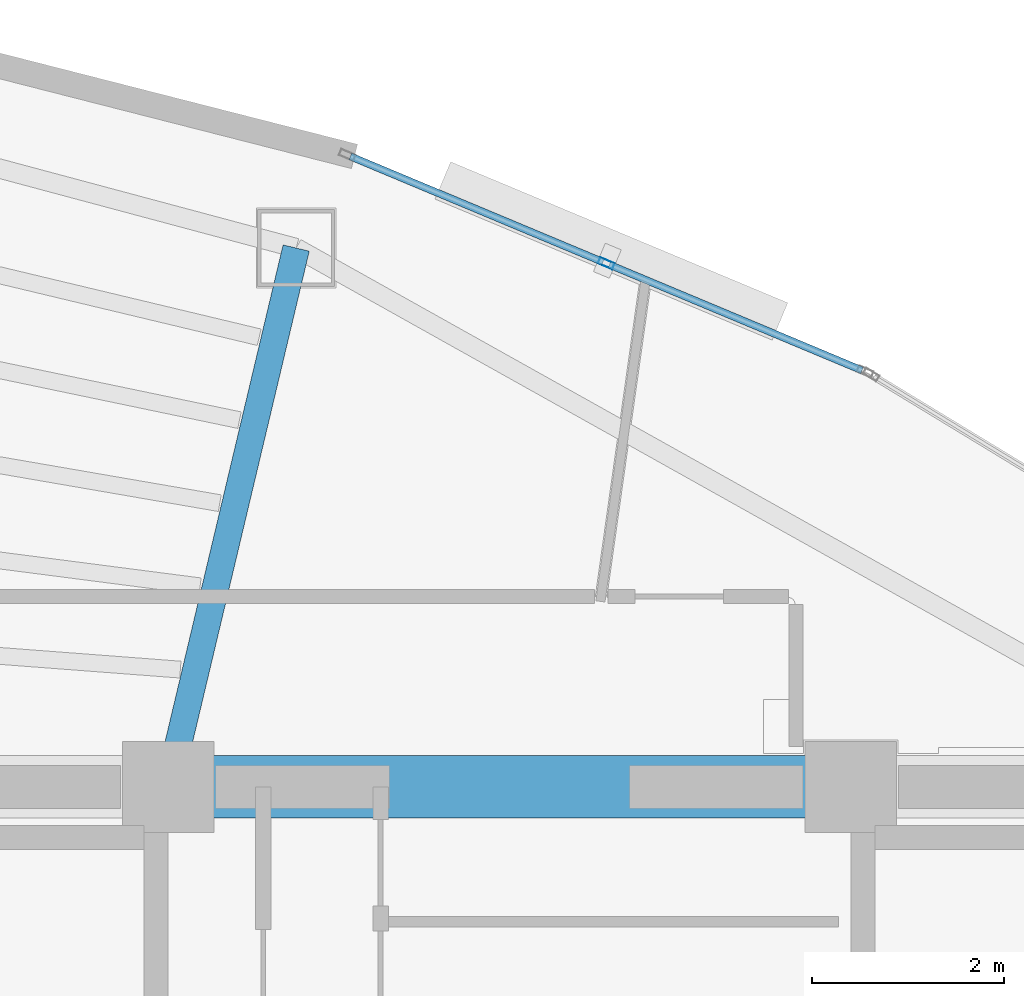
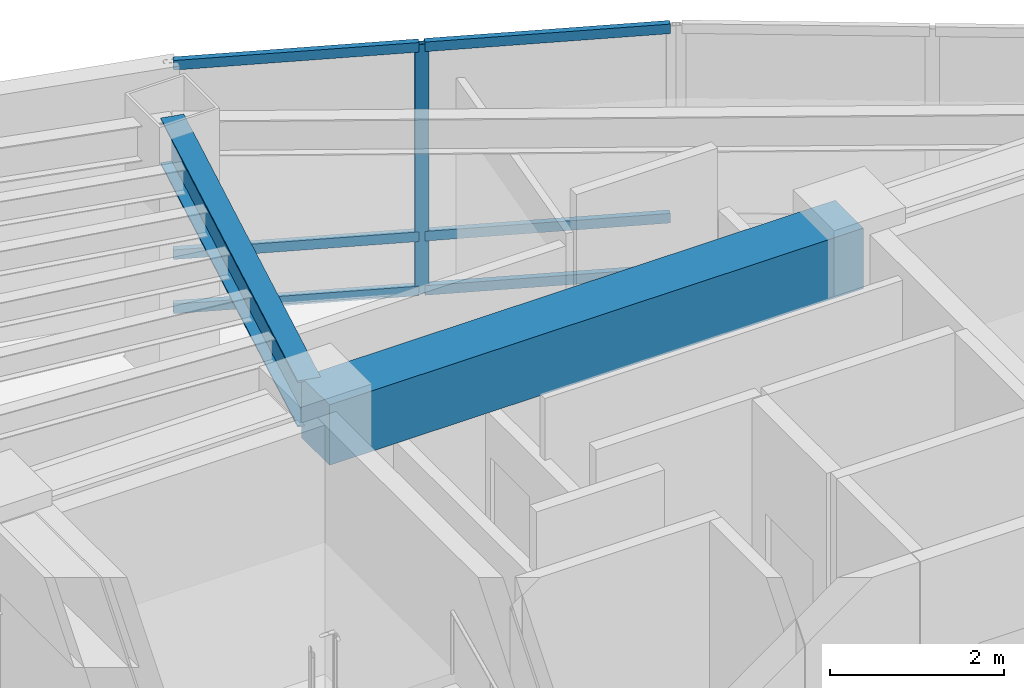
# One storey, part 8 of 16: 7 members, 2 beams, 1 element without a shape of its own.
"""IFC4 building model written with IfcOpenShell, lengths in metres."""

from ifc_helpers import new_model, si_unit, direction, frame, origin, origin_2d, place, context, subcontext, project, spatial, rectangle, hollow_rectangle, i_section, extrude, material, layer, layer_set, material_profile, profile_set, type_object, element, aggregate, save


model = new_model("IFC4")

# Units and contexts
model_context = context("Model", 3, precision=1e-05, world=origin(), true_north=direction((0.0, 1.0)))
body_context = subcontext(model_context, "Body", "Model", "MODEL_VIEW")
ifc_project = project(units=[si_unit("LENGTHUNIT", "METRE"), si_unit("AREAUNIT", "SQUARE_METRE"), si_unit("VOLUMEUNIT", "CUBIC_METRE"), si_unit("PLANEANGLEUNIT", "RADIAN"), si_unit("MASSUNIT", "GRAM", prefix="KILO")], contexts=[model_context])

# Site, building, storey
site_placement = place(None, origin())
site = spatial("IfcSite", under=ifc_project, at=site_placement, CompositionType="ELEMENT")
building_placement = place(site_placement, origin())
building = spatial("IfcBuilding", under=site, at=building_placement, Name="Menara Vayukalpa", CompositionType="ELEMENT")
storey_placement = place(building_placement, frame((0.0, 0.0, 273.179931640625)))
storey = spatial("IfcBuildingStorey", under=building, at=storey_placement, Name="L69", CompositionType="ELEMENT", Elevation=273.179931640625)

# Beams
ifc_material_1 = material(Name="Concrete C60/75", Category="concrete")
ifc_material_profile_1 = material_profile(ifc_material_1, rectangle(XDim=0.64990234375, YDim=0.85009765625, at=origin_2d()), Name="RC 650x850")
ifc_profile_set_1 = profile_set([ifc_material_profile_1], Name="Concrete C60/75")
beam_type_1 = type_object("IfcBeamType", Name="BM-CB1", PredefinedType="BEAM", material=ifc_profile_set_1)
beam_1_placement = place(storey_placement, frame((22.050048828125, 26.800048828125, 3.074951171875), z_axis=(1.0, 0.0, 0.0), x_axis=(0.0, 1.0, 0.0)))
element("IfcBeam", 1, at=beam_1_placement, inside=storey, type_object=beam_type_1, Name="L69 Core Tie Beam CBR5", PredefinedType="BEAM", context=body_context, shape_type="SweptSolid", body=[
    extrude(rectangle(XDim=0.64990234375, YDim=0.85009765625, at=origin_2d()), origin(), (0.0, 0.0, 1.0), 7.099853515625),
])
ifc_material_2 = material(Name="Steel S355", Category="steel")
ifc_material_profile_2 = material_profile(ifc_material_2, i_section(OverallWidth=0.280029296875, OverallDepth=0.64990234375, WebThickness=0.012939453125, FlangeThickness=0.02197265625, at=origin_2d()), Name="WF 650x280x13x22")
ifc_profile_set_2 = profile_set([ifc_material_profile_2], Name="Steel S355")
beam_type_2 = type_object("IfcBeamType", Name="BM-PG6", PredefinedType="BEAM", material=ifc_profile_set_2)
beam_2_placement = place(storey_placement, frame((22.10791015625, 27.043212890625, 3.175048828125), z_axis=(0.231167310854, 0.972914011818, 0.0), x_axis=(-0.972914011818, 0.231167310854, 0.0)))
element("IfcBeam", 2, at=beam_2_placement, inside=storey, type_object=beam_type_2, Name="L69 Primary Radial Girder RG03", PredefinedType="BEAM", context=body_context, shape_type="SweptSolid", body=[
    extrude(i_section(OverallWidth=0.280029296875, OverallDepth=0.64990234375, WebThickness=0.012939453125, FlangeThickness=0.02197265625, at=origin_2d()), origin(), (0.0, 0.0, 1.0), 5.5107421875),
])

# Curtain wall, members
ifc_material_3 = material(Name="Anodised Terracotta Aluminium Alloy 6063-T6", Category="masonry")
ifc_layer = layer(ifc_material_3, 0.1650390625)
ifc_layer_set = layer_set([ifc_layer], Name="Anodised Terracotta Aluminium Alloy 6063-T6")
curtain_wall_type = type_object("IfcCurtainWallType", Name="CW-CW6", PredefinedType="USERDEFINED", material=ifc_layer_set)
curtain_wall_placement = place(storey_placement, origin())
curtain_wall = element("IfcCurtainWall", 3, at=curtain_wall_placement, inside=storey, type_object=curtain_wall_type, Name="L69 Observation and Executive Curtain Wall CW6 05", ObjectType="UNITISED", PredefinedType="USERDEFINED")
ifc_material_4 = material(Name="Anodised Terracotta Aluminium Alloy 6063-T6", Category="masonry")
ifc_material_profile_3 = material_profile(ifc_material_4, hollow_rectangle(XDim=0.070068359375, YDim=0.1650390625, WallThickness=0.00390625, at=origin_2d()), Name="ALU 70x165x4")
ifc_profile_set_3 = profile_set([ifc_material_profile_3], Name="Anodised Terracotta Aluminium Alloy 6063-T6")
member_type_1 = type_object("IfcMemberType", Name="CWM-CW6", PredefinedType="MULLION", material=ifc_profile_set_3)
member_1_placement = place(storey_placement, frame((26.60595703125, 32.2451171875, 0.0), z_axis=(0.0, 0.0, 1.0), x_axis=(-0.385899911703, -0.922540653927, 0.0)))
member_1 = element("IfcMember", 4, at=member_1_placement, type_object=member_type_1, Name="CW6 mullion 2", PredefinedType="MULLION", context=body_context, shape_type="SweptSolid", body=[
    extrude(hollow_rectangle(XDim=0.070068359375, YDim=0.1650390625, WallThickness=0.00390625, at=origin_2d()), origin(), (0.0, 0.0, 1.0), 3.5),
])
ifc_material_5 = material(Name="Anodised Terracotta Aluminium Alloy 6063-T6", Category="masonry")
ifc_material_profile_4 = material_profile(ifc_material_5, hollow_rectangle(XDim=0.074951171875, YDim=0.135009765625, WallThickness=0.00390625, at=origin_2d()), Name="ALU 75x135x4")
ifc_profile_set_4 = profile_set([ifc_material_profile_4], Name="Anodised Terracotta Aluminium Alloy 6063-T6")
member_type_2 = type_object("IfcMemberType", Name="CWT-CW6", PredefinedType="USERDEFINED", material=ifc_profile_set_4)
member_2_placement = place(storey_placement, frame((29.266357421875, 31.13232421875, 0.03759765625), z_axis=(-0.922528286758, 0.385929475592, 0.0), x_axis=(-0.385929475592, -0.922528286758, 0.0)))
member_2 = element("IfcMember", 5, at=member_2_placement, type_object=member_type_2, Name="CW6 transom 1.1", ObjectType="TRANSOM", PredefinedType="USERDEFINED", context=body_context, shape_type="SweptSolid", body=[
    extrude(hollow_rectangle(XDim=0.074951171875, YDim=0.135009765625, WallThickness=0.00390625, at=origin_2d()), origin(), (0.0, 0.0, 1.0), 2.8486328125),
])
member_3_placement = place(storey_placement, frame((29.266357421875, 31.13232421875, 0.800048828125), z_axis=(-0.922528286758, 0.385929475592, 0.0), x_axis=(-0.385929475592, -0.922528286758, 0.0)))
member_3 = element("IfcMember", 6, at=member_3_placement, type_object=member_type_2, Name="CW6 transom 1.2", ObjectType="TRANSOM", PredefinedType="USERDEFINED", context=body_context, shape_type="SweptSolid", body=[
    extrude(hollow_rectangle(XDim=0.074951171875, YDim=0.135009765625, WallThickness=0.00390625, at=origin_2d()), origin(), (0.0, 0.0, 1.0), 2.8486328125),
])
member_4_placement = place(storey_placement, frame((29.266357421875, 31.13232421875, 3.462646484375), z_axis=(-0.922528286758, 0.385929475592, 0.0), x_axis=(-0.385929475592, -0.922528286758, 0.0)))
member_4 = element("IfcMember", 7, at=member_4_placement, type_object=member_type_2, Name="CW6 transom 1.3", ObjectType="TRANSOM", PredefinedType="USERDEFINED", context=body_context, shape_type="SweptSolid", body=[
    extrude(hollow_rectangle(XDim=0.074951171875, YDim=0.135009765625, WallThickness=0.00390625, at=origin_2d()), origin(), (0.0, 0.0, 1.0), 2.8486328125),
])
member_5_placement = place(storey_placement, frame((26.57373046875, 32.258544921875, 0.03759765625), z_axis=(-0.922541050276, 0.38589896418, 0.0), x_axis=(-0.38589896418, -0.922541050276, 0.0)))
member_5 = element("IfcMember", 8, at=member_5_placement, type_object=member_type_2, Name="CW6 transom 2.1", ObjectType="TRANSOM", PredefinedType="USERDEFINED", context=body_context, shape_type="SweptSolid", body=[
    extrude(hollow_rectangle(XDim=0.074951171875, YDim=0.135009765625, WallThickness=0.00390625, at=origin_2d()), origin(), (0.0, 0.0, 1.0), 2.848876953125),
])
member_6_placement = place(storey_placement, frame((26.57373046875, 32.258544921875, 0.800048828125), z_axis=(-0.922541050276, 0.38589896418, 0.0), x_axis=(-0.38589896418, -0.922541050276, 0.0)))
member_6 = element("IfcMember", 9, at=member_6_placement, type_object=member_type_2, Name="CW6 transom 2.2", ObjectType="TRANSOM", PredefinedType="USERDEFINED", context=body_context, shape_type="SweptSolid", body=[
    extrude(hollow_rectangle(XDim=0.074951171875, YDim=0.135009765625, WallThickness=0.00390625, at=origin_2d()), origin(), (0.0, 0.0, 1.0), 2.848876953125),
])
member_7_placement = place(storey_placement, frame((26.57373046875, 32.258544921875, 3.462646484375), z_axis=(-0.922541050276, 0.38589896418, 0.0), x_axis=(-0.38589896418, -0.922541050276, 0.0)))
member_7 = element("IfcMember", 10, at=member_7_placement, type_object=member_type_2, Name="CW6 transom 2.3", ObjectType="TRANSOM", PredefinedType="USERDEFINED", context=body_context, shape_type="SweptSolid", body=[
    extrude(hollow_rectangle(XDim=0.074951171875, YDim=0.135009765625, WallThickness=0.00390625, at=origin_2d()), origin(), (0.0, 0.0, 1.0), 2.848876953125),
])
aggregate(curtain_wall, [member_1, member_2, member_3, member_4, member_5, member_6, member_7])

save(model, "model.ifc")
